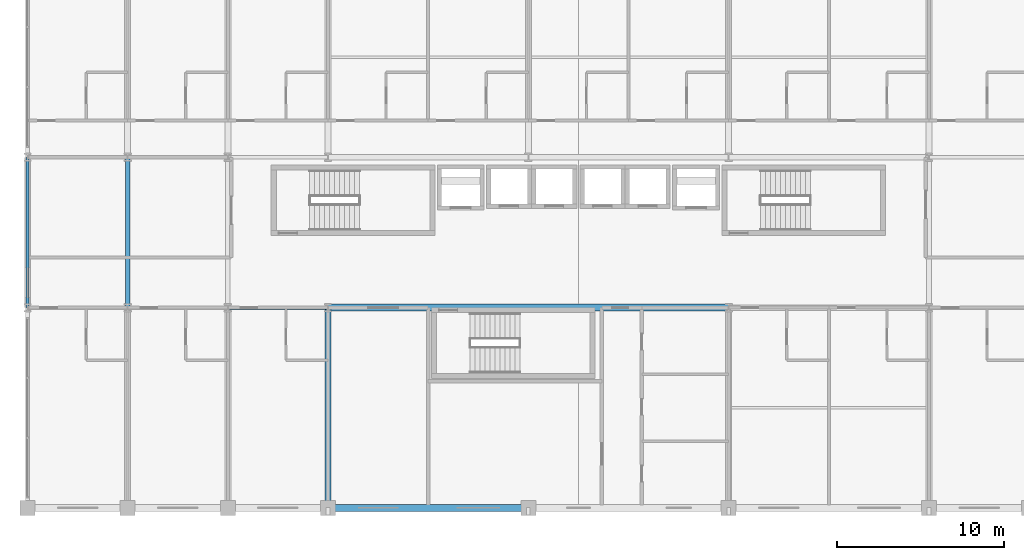
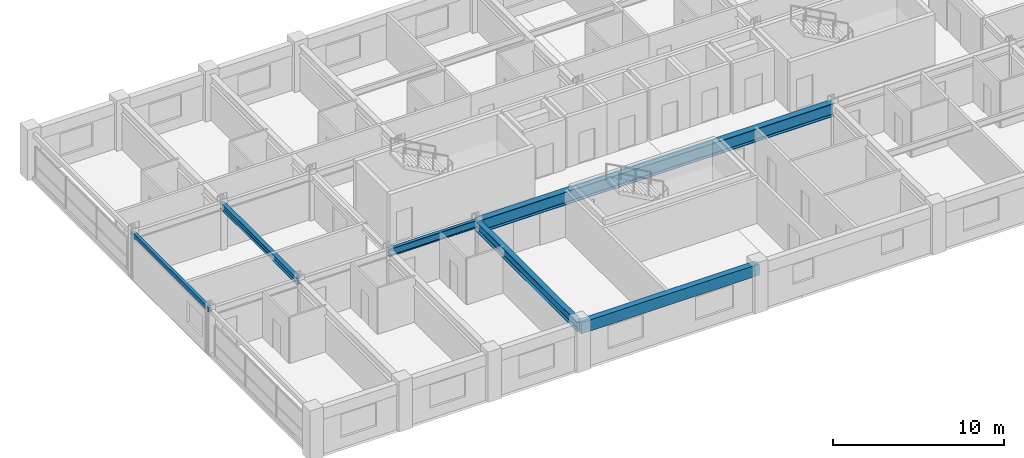
# One storey, part 5 of 22: 6 beams.
"""IFC4 building model written with IfcOpenShell, lengths in metres."""

from ifc_helpers import new_model, si_unit, direction, frame, origin, origin_2d, place, context, subcontext, project, spatial, rectangle, hollow_rectangle, i_section, extrude, material, material_profile, profile_set, type_object, element, save


model = new_model("IFC4")

# Units and contexts
model_context = context("Model", 3, precision=1e-05, world=origin(), true_north=direction((0.0, 1.0)))
body_context = subcontext(model_context, "Body", "Model", "MODEL_VIEW")
ifc_project = project(units=[si_unit("LENGTHUNIT", "METRE"), si_unit("AREAUNIT", "SQUARE_METRE"), si_unit("VOLUMEUNIT", "CUBIC_METRE"), si_unit("PLANEANGLEUNIT", "RADIAN"), si_unit("MASSUNIT", "GRAM", prefix="KILO")], contexts=[model_context])

# Site, building, storey
site_placement = place(None, origin())
site = spatial("IfcSite", under=ifc_project, at=site_placement, CompositionType="ELEMENT")
building_placement = place(site_placement, origin())
building = spatial("IfcBuilding", under=site, at=building_placement, Name="Kaldorvane Square Convention Centre", CompositionType="ELEMENT")
storey_placement = place(building_placement, frame((0.0, 0.0, 31.199996948242188)))
storey = spatial("IfcBuildingStorey", under=building, at=storey_placement, Name="L06", CompositionType="ELEMENT", Elevation=31.199996948242188)

# Beams
ifc_material_1 = material(Name="Steel ASTM A992 Gr. 50", Category="steel")
ifc_material_profile_1 = material_profile(ifc_material_1, i_section(OverallWidth=0.213897705078125, OverallDepth=0.549102783203125, WebThickness=0.0146942138671875, FlangeThickness=0.0236053466796875, FilletRadius=0.0126953125, at=origin_2d()), Name="W21X93")
ifc_profile_set_1 = profile_set([ifc_material_profile_1], Name="Steel ASTM A992 Gr. 50")
beam_type_1 = type_object("IfcBeamType", Name="BM-GR-W21X93", PredefinedType="BEAM", material=ifc_profile_set_1)
beam_1_placement = place(storey_placement, frame((36.0, 96.0, 3.0113983154296875), z_axis=(1.0, 0.0, 0.0), x_axis=(0.0, 1.0, 0.0)))
element("IfcBeam", 1, at=beam_1_placement, inside=storey, type_object=beam_type_1, Name="Primary Girder (L06)", PredefinedType="BEAM", context=body_context, shape_type="SweptSolid", body=[
    extrude(i_section(OverallWidth=0.213897705078125, OverallDepth=0.549102783203125, WebThickness=0.0146942138671875, FlangeThickness=0.0236053466796875, FilletRadius=0.0126953125, at=origin_2d()), origin(), (0.0, 0.0, 1.0), 6.0),
])
ifc_material_profile_2 = material_profile(ifc_material_1, i_section(OverallWidth=0.354705810546875, OverallDepth=0.69549560546875, WebThickness=0.0153961181640625, FlangeThickness=0.0251007080078125, FilletRadius=0.01519775390625, at=origin_2d()), Name="W27X146")
ifc_profile_set_2 = profile_set([ifc_material_profile_2], Name="Steel ASTM A992 Gr. 50")
beam_type_2 = type_object("IfcBeamType", Name="BM-GR-W27X146", PredefinedType="BEAM", material=ifc_profile_set_2)
beam_2_placement = place(storey_placement, frame((42.0, 84.0, 2.938201904296875), z_axis=(0.0, 1.0, 0.0), x_axis=(-1.0, 0.0, 0.0)))
element("IfcBeam", 2, at=beam_2_placement, inside=storey, type_object=beam_type_2, Name="Transverse Girder (L06)", PredefinedType="BEAM", context=body_context, shape_type="SweptSolid", body=[
    extrude(i_section(OverallWidth=0.354705810546875, OverallDepth=0.69549560546875, WebThickness=0.0153961181640625, FlangeThickness=0.0251007080078125, FilletRadius=0.01519775390625, at=origin_2d()), origin(), (0.0, 0.0, 1.0), 12.0),
])
ifc_material_profile_3 = material_profile(ifc_material_1, i_section(OverallWidth=0.418304443359375, OverallDepth=0.926605224609375, WebThickness=0.0193023681640625, FlangeThickness=0.0319976806640625, FilletRadius=0.0240936279296875, at=origin_2d()), Name="W36X231")
ifc_profile_set_3 = profile_set([ifc_material_profile_3], Name="Steel ASTM A992 Gr. 50")
beam_type_3 = type_object("IfcBeamType", Name="BM-GR-W36X231", PredefinedType="BEAM", material=ifc_profile_set_3)
beam_3_placement = place(storey_placement, frame((42.0, 96.0, 2.8227081298828125), z_axis=(1.0, 0.0, 0.0), x_axis=(0.0, 1.0, 0.0)))
element("IfcBeam", 3, at=beam_3_placement, inside=storey, type_object=beam_type_3, Name="Primary Girder (L06)", PredefinedType="BEAM", context=body_context, shape_type="SweptSolid", body=[
    extrude(i_section(OverallWidth=0.418304443359375, OverallDepth=0.926605224609375, WebThickness=0.0193023681640625, FlangeThickness=0.0319976806640625, FilletRadius=0.0240936279296875, at=origin_2d()), origin(), (0.0, 0.0, 1.0), 24.0),
])
ifc_material_profile_4 = material_profile(ifc_material_1, i_section(OverallWidth=0.2799072265625, OverallDepth=0.462799072265625, WebThickness=0.01080322265625, FlangeThickness=0.017303466796875, FilletRadius=0.01019287109375, at=origin_2d()), Name="W18X76")
ifc_profile_set_4 = profile_set([ifc_material_profile_4], Name="Steel ASTM A992 Gr. 50")
beam_type_4 = type_object("IfcBeamType", Name="BM-JS-W18X76", PredefinedType="JOIST", material=ifc_profile_set_4)
beam_4_placement = place(storey_placement, frame((30.0, 96.0, 3.054595947265625), z_axis=(0.0, 1.0, 0.0), x_axis=(-1.0, 0.0, 0.0)))
element("IfcBeam", 4, at=beam_4_placement, inside=storey, type_object=beam_type_4, Name="Transverse Girder (L06)", PredefinedType="JOIST", context=body_context, shape_type="SweptSolid", body=[
    extrude(i_section(OverallWidth=0.2799072265625, OverallDepth=0.462799072265625, WebThickness=0.01080322265625, FlangeThickness=0.017303466796875, FilletRadius=0.01019287109375, at=origin_2d()), origin(), (0.0, 0.0, 1.0), 9.0),
])
ifc_material_2 = material(Name="Steel ASTM A500 Gr. C", Category="steel")
ifc_material_profile_5 = material_profile(ifc_material_2, hollow_rectangle(XDim=0.2032012939453125, YDim=0.3047943115234375, WallThickness=0.0088958740234375, at=origin_2d()), Name="HSS12X8X3/8")
ifc_profile_set_5 = profile_set([ifc_material_profile_5], Name="Steel ASTM A500 Gr. C")
beam_type_5 = type_object("IfcBeamType", Name="BM-SP-HSS12", PredefinedType="SPANDREL", material=ifc_profile_set_5)
beam_5_placement = place(storey_placement, frame((24.0, 96.0, 3.13360595703125), z_axis=(0.0, 1.0, 0.0), x_axis=(-1.0, 0.0, 0.0)))
element("IfcBeam", 5, at=beam_5_placement, inside=storey, type_object=beam_type_5, Name="End Spandrel (L06)", PredefinedType="SPANDREL", context=body_context, shape_type="SweptSolid", body=[
    extrude(hollow_rectangle(XDim=0.2032012939453125, YDim=0.3047943115234375, WallThickness=0.0088958740234375, at=origin_2d()), origin(), (0.0, 0.0, 1.0), 9.0),
])
ifc_material_3 = material(Name="Concrete f'c = 42 MPa (Normalweight)", Category="concrete")
ifc_material_profile_6 = material_profile(ifc_material_3, rectangle(XDim=0.399993896484375, YDim=0.8000030517578125, at=origin_2d()), Name="RCSP800X400")
ifc_profile_set_6 = profile_set([ifc_material_profile_6], Name="Concrete f'c = 42 MPa (Normalweight)")
beam_type_6 = type_object("IfcBeamType", Name="BM-SP-RC800", PredefinedType="SPANDREL", material=ifc_profile_set_6)
beam_6_placement = place(storey_placement, frame((42.0, 84.0, 2.8860015869140625), z_axis=(1.0, 0.0, 0.0), x_axis=(0.0, 1.0, 0.0)))
element("IfcBeam", 6, at=beam_6_placement, inside=storey, type_object=beam_type_6, Name="Perimeter Spandrel (L06)", PredefinedType="SPANDREL", context=body_context, shape_type="SweptSolid", body=[
    extrude(rectangle(XDim=0.399993896484375, YDim=0.8000030517578125, at=origin_2d()), origin(), (0.0, 0.0, 1.0), 12.0),
])

save(model, "model.ifc")
